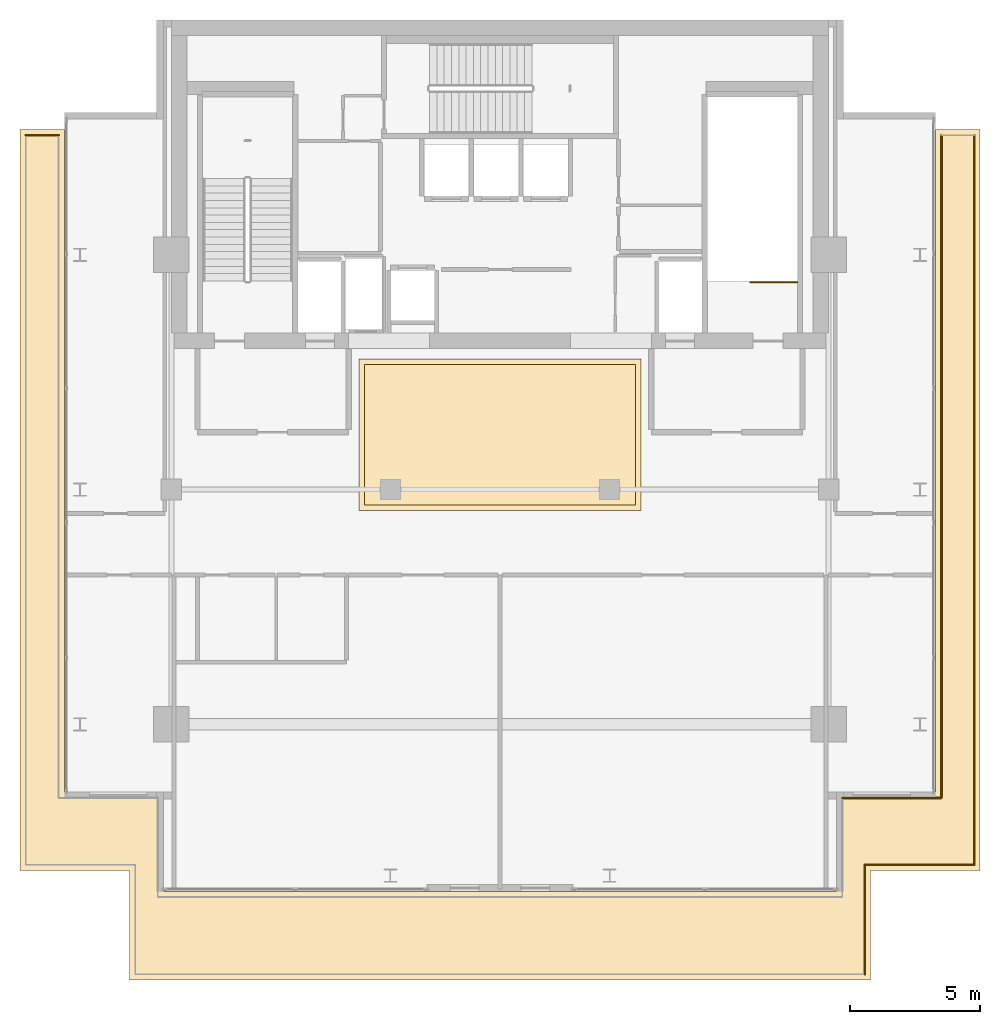
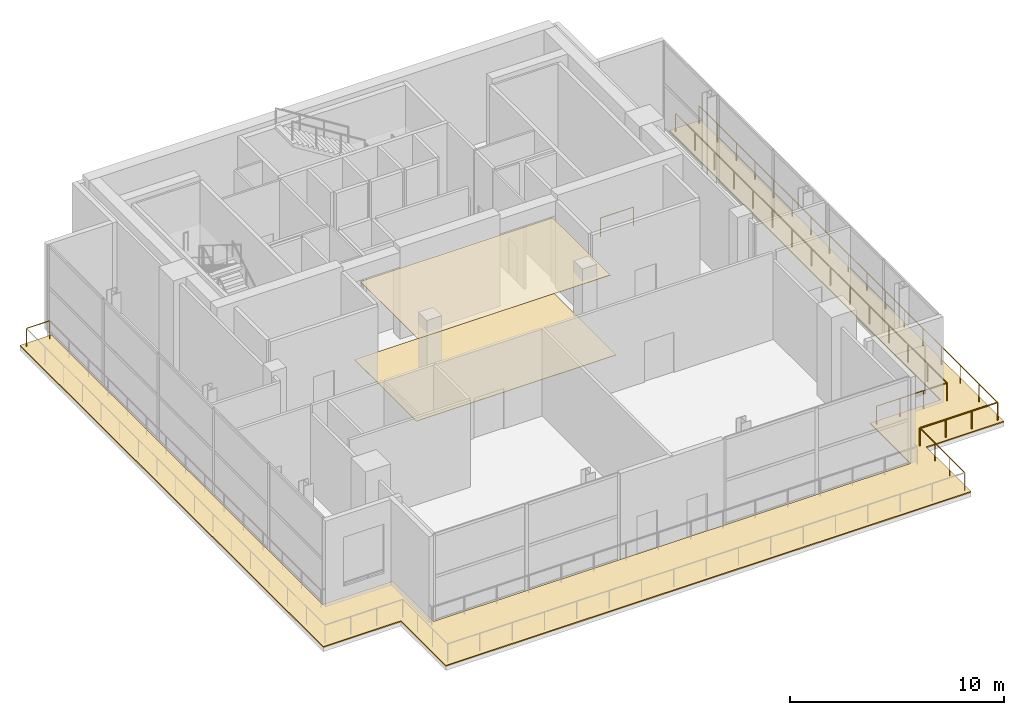
# One storey, part 18 of 19: 7 railings, 3 coverings.
"""IFC4 building model written with IfcOpenShell, lengths in metres."""

import ifcopenshell
import ifcopenshell.guid

model = None  # the IFC model being written
_history = None  # IfcOwnerHistory: only IFC2X3 demands one
_inside = {}  # id of a spatial element -> (the spatial element, [elements in it])
_under = {}  # id of a project, library or spatial element -> (it, [spatial elements below it])
_declared = {}  # id of a project -> (the project, [libraries it declares])
_typed = {}  # id of a type object -> (the type object, [elements of that type])
_made_of = {}  # id of a material, layer set ... -> (it, [elements and type objects made of it])


def new_model(schema):
    """Start an empty IFC model of exactly this schema.

    Asked for "IFC4X3", IfcOpenShell would pick the latest addendum, in which some entities
    have other attributes; the version numbers below select the first issue.
    IFC2X3 requires an IfcOwnerHistory on every rooted entity: one is made here for all.
    """
    global model, _history
    if schema == "IFC4X3":
        model = ifcopenshell.file(schema_version=(4, 3, 0, 0))
    else:
        model = ifcopenshell.file(schema=schema)
    _inside.clear()
    _under.clear()
    _declared.clear()
    _typed.clear()
    _made_of.clear()
    _history = None
    if model.schema == "IFC2X3":
        org = make("IfcOrganization", Name="unknown")
        user = make(
            "IfcPersonAndOrganization",
            ThePerson=make("IfcPerson", FamilyName="unknown"),
            TheOrganization=org,
        )
        app = make(
            "IfcApplication",
            ApplicationDeveloper=org,
            Version="unknown",
            ApplicationFullName="unknown",
            ApplicationIdentifier="unknown",
        )
        _history = make(
            "IfcOwnerHistory",
            OwningUser=user,
            OwningApplication=app,
            ChangeAction="ADDED",
            CreationDate=0,
        )
    return model


def make(cls, **values):
    """One entity of the class cls with the attributes given. An attribute that is None is left unset."""
    return model.create_entity(
        cls, **{name: value for name, value in values.items() if value is not None}
    )


def rooted(cls, **values):
    """An entity with a GlobalId (a new one), such as an element, a storey or a relation."""
    return make(cls, GlobalId=ifcopenshell.guid.new(), OwnerHistory=_history, **values)


def si_unit(unit_type, name, prefix=None):
    """IfcSIUnit, for example si_unit("LENGTHUNIT", "METRE", prefix="MILLI")."""
    return make("IfcSIUnit", UnitType=unit_type, Prefix=prefix, Name=name)


def assignment(units):
    """IfcUnitAssignment: the units of a project."""
    return None if units is None else make("IfcUnitAssignment", Units=units)


def point(xyz):
    """IfcCartesianPoint."""
    return None if xyz is None else make("IfcCartesianPoint", Coordinates=xyz)


def direction(xyz):
    """IfcDirection."""
    return None if xyz is None else make("IfcDirection", DirectionRatios=xyz)


def frame(location, z_axis=None, x_axis=None):
    """IfcAxis2Placement3D, a coordinate frame: its origin and axes. An axis left out is left unset."""
    return make(
        "IfcAxis2Placement3D",
        Location=point(location),
        Axis=direction(z_axis),
        RefDirection=direction(x_axis),
    )


def frame_2d(location, x_axis=None):
    """IfcAxis2Placement2D, a coordinate frame in the plane: its origin and x axis."""
    return make(
        "IfcAxis2Placement2D", Location=point(location), RefDirection=direction(x_axis)
    )


def origin():
    """The frame at (0, 0, 0) with its axes left unset."""
    return frame((0.0, 0.0, 0.0))


def origin_2d():
    """The frame at (0, 0) in the plane with its x axis left unset."""
    return frame_2d((0.0, 0.0))


def place(relative_to, where):
    """IfcLocalPlacement: puts the frame where relative to a parent placement (None: the world)."""
    return make(
        "IfcLocalPlacement", PlacementRelTo=relative_to, RelativePlacement=where
    )


def context(
    kind, dimensions, precision=None, world=None, true_north=None, identifier=None
):
    """IfcGeometricRepresentationContext, for example the 3D "Model" context."""
    return make(
        "IfcGeometricRepresentationContext",
        ContextIdentifier=identifier,
        ContextType=kind,
        CoordinateSpaceDimension=dimensions,
        Precision=precision,
        WorldCoordinateSystem=world,
        TrueNorth=true_north,
    )


def subcontext(parent, identifier, kind, view, scale=None):
    """IfcGeometricRepresentationSubContext, for example "Body" below "Model"."""
    return make(
        "IfcGeometricRepresentationSubContext",
        ContextIdentifier=identifier,
        ContextType=kind,
        ParentContext=parent,
        TargetScale=scale,
        TargetView=view,
    )


def project(units=None, contexts=None):
    """IfcProject with its units and contexts."""
    return rooted(
        "IfcProject",
        Name="project",
        RepresentationContexts=contexts,
        UnitsInContext=assignment(units),
    )


def spatial(cls, under=None, at=None, **own):
    """A site, building, storey or space (cls), placed at a placement, below another one or the project."""
    s = rooted(cls, ObjectPlacement=at, **own)
    if under is not None:
        _under.setdefault(under.id(), (under, []))[1].append(s)
    return s


def polyline(points):
    """IfcPolyline through the points."""
    return make("IfcPolyline", Points=[point(p) for p in points])


def profile(cls, at=None, kind="AREA", **sizes):
    """A parametric profile (cls). Its sizes go by their IFC names, for example OverallWidth=200.0."""
    return make(cls, ProfileType=kind, Position=at, **sizes)


def circle(**sizes):
    """IfcCircleProfileDef."""
    return profile("IfcCircleProfileDef", **sizes)


def outline(outer, holes=None, kind="AREA"):
    """IfcArbitraryClosedProfileDef: a profile drawn as a closed curve; with holes, ...WithVoids."""
    if holes is None:
        return make("IfcArbitraryClosedProfileDef", ProfileType=kind, OuterCurve=outer)
    return make(
        "IfcArbitraryProfileDefWithVoids",
        ProfileType=kind,
        OuterCurve=outer,
        InnerCurves=holes,
    )


def extrude(swept, where, along, depth):
    """IfcExtrudedAreaSolid: the profile swept, set in the frame where, extruded along a direction by depth."""
    return make(
        "IfcExtrudedAreaSolid",
        SweptArea=swept,
        Position=where,
        ExtrudedDirection=direction(along),
        Depth=depth,
    )


def shape(context_of_items, identifier, shape_type, items):
    """IfcShapeRepresentation: the items that make up one representation, for example the "Body"."""
    return make(
        "IfcShapeRepresentation",
        ContextOfItems=context_of_items,
        RepresentationIdentifier=identifier,
        RepresentationType=shape_type,
        Items=items,
    )


def material(Name=None, Category=None):
    """IfcMaterial."""
    return make("IfcMaterial", Name=Name, Category=Category)


def layer(
    of_material, thickness, ventilated=None, Name=None, Category=None, Priority=None
):
    """IfcMaterialLayer: one layer of a wall or slab, of a material (None: an air gap)."""
    return make(
        "IfcMaterialLayer",
        Material=of_material,
        LayerThickness=thickness,
        IsVentilated=ventilated,
        Name=Name,
        Category=Category,
        Priority=Priority,
    )


def layer_set(layers, Name=None):
    """IfcMaterialLayerSet."""
    return make("IfcMaterialLayerSet", MaterialLayers=layers, LayerSetName=Name)


def made_of(thing, what):
    """Note that an element or type object is made of a material, layer set ...; save() writes the relation."""
    if what is not None:
        _made_of.setdefault(what.id(), (what, []))[1].append(thing)
    return thing


def type_object(cls, material=None, **own):
    """A type object (cls), such as IfcWallType, which elements share."""
    return made_of(rooted(cls, **own), material)


def element(
    cls,
    number,
    at=None,
    inside=None,
    cuts=None,
    type_object=None,
    material=None,
    context=None,
    identifier="Body",
    shape_type=None,
    held_by="IfcProductDefinitionShape",
    body=None,
    shapes=None,
    **own,
):
    """One element of the class cls, such as IfcWall. Its Tag is "e" and its number.

    at: its placement. inside: the storey or other place that contains it. cuts: it is an
    opening in that element (IfcRelVoidsElement). A single representation is given by context,
    identifier, shape_type and body (its items); several are given by shapes. held_by: the class
    of the entity that holds the representations. save() writes the other relations.
    """
    e = rooted(cls, Tag="e%d" % number, ObjectPlacement=at, **own)
    if body is not None:
        shapes = [shape(context, identifier, shape_type, body)]
    if shapes is not None:
        e.Representation = make(held_by, Representations=shapes)
    if inside is not None:
        _inside.setdefault(inside.id(), (inside, []))[1].append(e)
    if cuts is not None:
        rooted(
            "IfcRelVoidsElement", RelatingBuildingElement=cuts, RelatedOpeningElement=e
        )
    if type_object is not None:
        _typed.setdefault(type_object.id(), (type_object, []))[1].append(e)
    return made_of(e, material)


def aggregate(whole, parts):
    """IfcRelAggregates: a whole, such as a stair, and the parts it consists of."""
    return rooted("IfcRelAggregates", RelatingObject=whole, RelatedObjects=parts)


def save(model, path):
    """Write the relations noted so far, then the file.

    IfcRelAggregates (storeys below a building ...), IfcRelContainedInSpatialStructure (elements
    in a storey), IfcRelDefinesByType, IfcRelAssociatesMaterial and IfcRelDeclares: one each for
    every whole, place, type object, material and project.
    """
    for whole, parts in _under.values():
        aggregate(whole, parts)
    for where, things in _inside.values():
        rooted(
            "IfcRelContainedInSpatialStructure",
            RelatedElements=things,
            RelatingStructure=where,
        )
    for kind, things in _typed.values():
        rooted("IfcRelDefinesByType", RelatedObjects=things, RelatingType=kind)
    for what, things in _made_of.values():
        rooted("IfcRelAssociatesMaterial", RelatedObjects=things, RelatingMaterial=what)
    for by, libraries in _declared.values():
        rooted("IfcRelDeclares", RelatingContext=by, RelatedDefinitions=libraries)
    model.write(path)


model = new_model("IFC4")

# Units and contexts
model_context = context("Model", 3, precision=1e-05, world=origin(), true_north=direction((0.0, 1.0)))
body_context = subcontext(model_context, "Body", "Model", "MODEL_VIEW")
ifc_project = project(units=[si_unit("LENGTHUNIT", "METRE"), si_unit("AREAUNIT", "SQUARE_METRE"), si_unit("VOLUMEUNIT", "CUBIC_METRE"), si_unit("PLANEANGLEUNIT", "RADIAN"), si_unit("MASSUNIT", "GRAM", prefix="KILO")], contexts=[model_context])

# Site, building, storey
site_placement = place(None, origin())
site = spatial("IfcSite", under=ifc_project, at=site_placement, CompositionType="ELEMENT")
building_placement = place(site_placement, origin())
building = spatial("IfcBuilding", under=site, at=building_placement, Name="Maruvema Waterfront Hotel and Observation Tower", CompositionType="ELEMENT")
storey_placement = place(building_placement, frame((0.0, 0.0, 359.10009765625)))
storey = spatial("IfcBuildingStorey", under=building, at=storey_placement, Name="L88", CompositionType="ELEMENT", Elevation=359.10009765625)

# Coverings
ifc_material_1 = material(Name="SBS modified bitumen waterproofing with granite ballast", Category="masonry")
ifc_layer_1 = layer(ifc_material_1, 0.090087890625, Name="Elastomeric Waterproof Roof Membrane and Granite Ballast 90 mm")
ifc_layer_set_1 = layer_set([ifc_layer_1], Name="SBS modified bitumen waterproofing with granite ballast")
covering_type_1 = type_object("IfcCoveringType", Name="Elastomeric Waterproof Roof Membrane and Granite Ballast 90 mm", PredefinedType="ROOFING", material=ifc_layer_set_1)
covering_1_placement = place(storey_placement, origin())
element("IfcCovering", 1, at=covering_1_placement, inside=storey, type_object=covering_type_1, Name="L88 Setback Terrace Waterproofing and Pavers 1", PredefinedType="ROOFING", context=body_context, shape_type="SweptSolid", body=[
    extrude(outline(polyline([(56.199951171875, 49.800048828125), (56.199951171875, 21.39990234375), (52.0, 21.39990234375), (52.0, 17.199951171875), (23.60009765625, 17.199951171875), (23.60009765625, 21.39990234375), (19.39990234375, 21.39990234375), (19.39990234375, 49.800048828125), (21.10009765625, 49.800048828125), (21.10009765625, 24.39990234375), (24.89990234375, 24.39990234375), (24.89990234375, 20.60009765625), (50.699951171875, 20.60009765625), (50.699951171875, 24.39990234375), (54.5, 24.39990234375), (54.5, 49.800048828125), (56.199951171875, 49.800048828125)])), origin(), (0.0, 0.0, 1.0), 0.059814453125),
])
ifc_material_2 = material(Name="Honed Pernambuco warm granite", Category="masonry")
ifc_layer_2 = layer(ifc_material_2, 0.030029296875, Name="Honed Pernambuco Granite Lobby Flooring 30 mm")
ifc_layer_set_2 = layer_set([ifc_layer_2], Name="Honed Pernambuco warm granite")
covering_type_2 = type_object("IfcCoveringType", Name="Honed Pernambuco Granite Lobby Flooring 30 mm", PredefinedType="FLOORING", material=ifc_layer_set_2)
covering_2_placement = place(storey_placement, origin())
element("IfcCovering", 2, at=covering_2_placement, inside=storey, type_object=covering_type_2, Name="L88 Sky Concourse Granite Flooring", PredefinedType="FLOORING", context=body_context, shape_type="SweptSolid", body=[
    extrude(outline(polyline([(32.39990234375, 35.199951171875), (43.199951171875, 35.199951171875), (43.199951171875, 41.0), (32.39990234375, 41.0), (32.39990234375, 35.199951171875)])), origin(), (0.0, 0.0, 1.0), 0.02978515625),
])
ifc_material_3 = material(Name="Perforated acoustic gypsum board", Category="gypsum")
ifc_layer_3 = layer(ifc_material_3, 0.02490234375, Name="Perforated Acoustic Gypsum Suspended Ceiling 25 mm")
ifc_layer_set_3 = layer_set([ifc_layer_3], Name="Perforated acoustic gypsum board")
covering_type_3 = type_object("IfcCoveringType", Name="Perforated Acoustic Gypsum Suspended Ceiling 25 mm", PredefinedType="CEILING", material=ifc_layer_set_3)
covering_3_placement = place(storey_placement, frame((0.0, 0.0, 4.52001953125)))
element("IfcCovering", 3, at=covering_3_placement, inside=storey, type_object=covering_type_3, Name="L88 Sky Concourse Acoustic Ceiling", PredefinedType="CEILING", context=body_context, shape_type="SweptSolid", body=[
    extrude(outline(polyline([(32.60009765625, 35.39990234375), (43.0, 35.39990234375), (43.0, 40.800048828125), (32.60009765625, 40.800048828125), (32.60009765625, 35.39990234375)])), origin(), (0.0, 0.0, 1.0), 0.02490234375),
])

# Railings
ifc_material_4 = material(Name="Brushed stainless steel Grade 316", Category="steel")
railing_type = type_object("IfcRailingType", Name="Ramp and Terrace Guard Balustrade 1100 mm", PredefinedType="BALUSTRADE", material=ifc_material_4)
railing_1_placement = place(storey_placement, frame((49.199951171875, 43.949951171875, 0.0)))
element("IfcRailing", 4, at=railing_1_placement, inside=storey, type_object=railing_type, Name="L88 ST-03 top well guard 1", PredefinedType="BALUSTRADE", context=body_context, shape_type="SweptSolid", body=[
    extrude(circle(Radius=0.02392578125, at=origin_2d()), frame((0.0, 0.0, 1.076171875), z_axis=(-1.0, 0.0, 0.0), x_axis=(0.0, -1.0, 0.0)), (0.0, 0.0, 1.0), 1.800048828125),
    extrude(circle(Radius=0.02099609375, at=origin_2d()), origin(), (0.0, 0.0, 1.0), 1.052001953125),
    extrude(circle(Radius=0.02099609375, at=origin_2d()), frame((-1.800048828125, 0.0, 0.0)), (0.0, 0.0, 1.0), 1.052001953125),
])
railing_2_placement = place(storey_placement, frame((55.97998046875, 49.580078125, 0.0)))
element("IfcRailing", 5, at=railing_2_placement, inside=storey, type_object=railing_type, Name="L88 Perimeter Safety Balustrade 1", PredefinedType="BALUSTRADE", context=body_context, shape_type="SweptSolid", body=[
    extrude(circle(Radius=0.02392578125, at=origin_2d()), frame((0.0, 0.0, 1.076171875), z_axis=(0.0, -1.0, 0.0), x_axis=(1.0, 0.0, 0.0)), (0.0, 0.0, 1.0), 27.9599609375),
    extrude(circle(Radius=0.02099609375, at=origin_2d()), origin(), (0.0, 0.0, 1.0), 1.052001953125),
    extrude(circle(Radius=0.02099609375, at=origin_2d()), frame((0.0, -1.74755859375, 0.0)), (0.0, 0.0, 1.0), 1.052001953125),
    extrude(circle(Radius=0.02099609375, at=origin_2d()), frame((0.0, -3.4951171875, 0.0)), (0.0, 0.0, 1.0), 1.052001953125),
    extrude(circle(Radius=0.02099609375, at=origin_2d()), frame((0.0, -5.242431640625, 0.0)), (0.0, 0.0, 1.0), 1.052001953125),
    extrude(circle(Radius=0.02099609375, at=origin_2d()), frame((0.0, -6.989990234375, 0.0)), (0.0, 0.0, 1.0), 1.052001953125),
    extrude(circle(Radius=0.02099609375, at=origin_2d()), frame((0.0, -8.737548828125, 0.0)), (0.0, 0.0, 1.0), 1.052001953125),
    extrude(circle(Radius=0.02099609375, at=origin_2d()), frame((0.0, -10.48486328125, 0.0)), (0.0, 0.0, 1.0), 1.052001953125),
    extrude(circle(Radius=0.02099609375, at=origin_2d()), frame((0.0, -12.232421875, 0.0)), (0.0, 0.0, 1.0), 1.052001953125),
    extrude(circle(Radius=0.02099609375, at=origin_2d()), frame((0.0, -13.97998046875, 0.0)), (0.0, 0.0, 1.0), 1.052001953125),
    extrude(circle(Radius=0.02099609375, at=origin_2d()), frame((0.0, -15.7275390625, 0.0)), (0.0, 0.0, 1.0), 1.052001953125),
    extrude(circle(Radius=0.02099609375, at=origin_2d()), frame((0.0, -17.47509765625, 0.0)), (0.0, 0.0, 1.0), 1.052001953125),
    extrude(circle(Radius=0.02099609375, at=origin_2d()), frame((0.0, -19.222412109375, 0.0)), (0.0, 0.0, 1.0), 1.052001953125),
    extrude(circle(Radius=0.02099609375, at=origin_2d()), frame((0.0, -20.969970703125, 0.0)), (0.0, 0.0, 1.0), 1.052001953125),
    extrude(circle(Radius=0.02099609375, at=origin_2d()), frame((0.0, -22.717529296875, 0.0)), (0.0, 0.0, 1.0), 1.052001953125),
    extrude(circle(Radius=0.02099609375, at=origin_2d()), frame((0.0, -24.46484375, 0.0)), (0.0, 0.0, 1.0), 1.052001953125),
    extrude(circle(Radius=0.02099609375, at=origin_2d()), frame((0.0, -26.21240234375, 0.0)), (0.0, 0.0, 1.0), 1.052001953125),
    extrude(circle(Radius=0.02099609375, at=origin_2d()), frame((0.0, -27.9599609375, 0.0)), (0.0, 0.0, 1.0), 1.052001953125),
])
railing_3_placement = place(storey_placement, frame((55.97998046875, 21.6201171875, 0.0)))
element("IfcRailing", 6, at=railing_3_placement, inside=storey, type_object=railing_type, Name="L88 Perimeter Safety Balustrade 2", PredefinedType="BALUSTRADE", context=body_context, shape_type="SweptSolid", body=[
    extrude(circle(Radius=0.02392578125, at=origin_2d()), frame((0.0, 0.0, 1.076171875), z_axis=(-1.0, 0.0, 0.0), x_axis=(0.0, -1.0, 0.0)), (0.0, 0.0, 1.0), 4.199951171875),
    extrude(circle(Radius=0.02099609375, at=origin_2d()), origin(), (0.0, 0.0, 1.0), 1.052001953125),
    extrude(circle(Radius=0.02099609375, at=origin_2d()), frame((-1.39990234375, 0.0, 0.0)), (0.0, 0.0, 1.0), 1.052001953125),
    extrude(circle(Radius=0.02099609375, at=origin_2d()), frame((-2.800048828125, 0.0, 0.0)), (0.0, 0.0, 1.0), 1.052001953125),
    extrude(circle(Radius=0.02099609375, at=origin_2d()), frame((-4.199951171875, 0.0, 0.0)), (0.0, 0.0, 1.0), 1.052001953125),
])
railing_4_placement = place(storey_placement, frame((51.780029296875, 21.6201171875, 0.0)))
element("IfcRailing", 7, at=railing_4_placement, inside=storey, type_object=railing_type, Name="L88 Perimeter Safety Balustrade 3", PredefinedType="BALUSTRADE", context=body_context, shape_type="SweptSolid", body=[
    extrude(circle(Radius=0.02392578125, at=origin_2d()), frame((0.0, 0.0, 1.076171875), z_axis=(0.0, -1.0, 0.0), x_axis=(1.0, 0.0, 0.0)), (0.0, 0.0, 1.0), 4.2001953125),
    extrude(circle(Radius=0.02099609375, at=origin_2d()), origin(), (0.0, 0.0, 1.0), 1.052001953125),
    extrude(circle(Radius=0.02099609375, at=origin_2d()), frame((0.0, -1.400146484375, 0.0)), (0.0, 0.0, 1.0), 1.052001953125),
    extrude(circle(Radius=0.02099609375, at=origin_2d()), frame((0.0, -2.800048828125, 0.0)), (0.0, 0.0, 1.0), 1.052001953125),
    extrude(circle(Radius=0.02099609375, at=origin_2d()), frame((0.0, -4.2001953125, 0.0)), (0.0, 0.0, 1.0), 1.052001953125),
])
railing_5_placement = place(storey_placement, frame((19.6201171875, 49.580078125, 0.0)))
element("IfcRailing", 8, at=railing_5_placement, inside=storey, type_object=railing_type, Name="L88 Perimeter Safety Balustrade 8", PredefinedType="BALUSTRADE", context=body_context, shape_type="SweptSolid", body=[
    extrude(circle(Radius=0.02392578125, at=origin_2d()), frame((0.0, 0.0, 1.076171875), z_axis=(1.0, 0.0, 0.0), x_axis=(0.0, 1.0, 0.0)), (0.0, 0.0, 1.0), 1.259765625),
    extrude(circle(Radius=0.02099609375, at=origin_2d()), origin(), (0.0, 0.0, 1.0), 1.052001953125),
    extrude(circle(Radius=0.02099609375, at=origin_2d()), frame((1.259765625, 0.0, 0.0)), (0.0, 0.0, 1.0), 1.052001953125),
])
railing_6_placement = place(storey_placement, frame((50.919921875, 24.179931640625, 0.0)))
element("IfcRailing", 9, at=railing_6_placement, inside=storey, type_object=railing_type, Name="L88 Perimeter Safety Balustrade 14", PredefinedType="BALUSTRADE", context=body_context, shape_type="SweptSolid", body=[
    extrude(circle(Radius=0.02392578125, at=origin_2d()), frame((0.0, 0.0, 1.076171875), z_axis=(1.0, 0.0, 0.0), x_axis=(0.0, 1.0, 0.0)), (0.0, 0.0, 1.0), 3.800048828125),
    extrude(circle(Radius=0.02099609375, at=origin_2d()), origin(), (0.0, 0.0, 1.0), 1.052001953125),
    extrude(circle(Radius=0.02099609375, at=origin_2d()), frame((1.2666015625, 0.0, 0.0)), (0.0, 0.0, 1.0), 1.052001953125),
    extrude(circle(Radius=0.02099609375, at=origin_2d()), frame((2.533447265625, 0.0, 0.0)), (0.0, 0.0, 1.0), 1.052001953125),
    extrude(circle(Radius=0.02099609375, at=origin_2d()), frame((3.800048828125, 0.0, 0.0)), (0.0, 0.0, 1.0), 1.052001953125),
])
railing_7_placement = place(storey_placement, frame((54.719970703125, 24.179931640625, 0.0)))
element("IfcRailing", 10, at=railing_7_placement, inside=storey, type_object=railing_type, Name="L88 Perimeter Safety Balustrade 15", PredefinedType="BALUSTRADE", context=body_context, shape_type="SweptSolid", body=[
    extrude(circle(Radius=0.02392578125, at=origin_2d()), frame((0.0, 0.0, 1.076171875), z_axis=(0.0, 1.0, 0.0), x_axis=(-1.0, 0.0, 0.0)), (0.0, 0.0, 1.0), 25.400146484375),
    extrude(circle(Radius=0.02099609375, at=origin_2d()), origin(), (0.0, 0.0, 1.0), 1.052001953125),
    extrude(circle(Radius=0.02099609375, at=origin_2d()), frame((0.0, 1.814208984375, 0.0)), (0.0, 0.0, 1.0), 1.052001953125),
    extrude(circle(Radius=0.02099609375, at=origin_2d()), frame((0.0, 3.628662109375, 0.0)), (0.0, 0.0, 1.0), 1.052001953125),
    extrude(circle(Radius=0.02099609375, at=origin_2d()), frame((0.0, 5.44287109375, 0.0)), (0.0, 0.0, 1.0), 1.052001953125),
    extrude(circle(Radius=0.02099609375, at=origin_2d()), frame((0.0, 7.257080078125, 0.0)), (0.0, 0.0, 1.0), 1.052001953125),
    extrude(circle(Radius=0.02099609375, at=origin_2d()), frame((0.0, 9.071533203125, 0.0)), (0.0, 0.0, 1.0), 1.052001953125),
    extrude(circle(Radius=0.02099609375, at=origin_2d()), frame((0.0, 10.8857421875, 0.0)), (0.0, 0.0, 1.0), 1.052001953125),
    extrude(circle(Radius=0.02099609375, at=origin_2d()), frame((0.0, 12.7001953125, 0.0)), (0.0, 0.0, 1.0), 1.052001953125),
    extrude(circle(Radius=0.02099609375, at=origin_2d()), frame((0.0, 14.514404296875, 0.0)), (0.0, 0.0, 1.0), 1.052001953125),
    extrude(circle(Radius=0.02099609375, at=origin_2d()), frame((0.0, 16.32861328125, 0.0)), (0.0, 0.0, 1.0), 1.052001953125),
    extrude(circle(Radius=0.02099609375, at=origin_2d()), frame((0.0, 18.14306640625, 0.0)), (0.0, 0.0, 1.0), 1.052001953125),
    extrude(circle(Radius=0.02099609375, at=origin_2d()), frame((0.0, 19.957275390625, 0.0)), (0.0, 0.0, 1.0), 1.052001953125),
    extrude(circle(Radius=0.02099609375, at=origin_2d()), frame((0.0, 21.771484375, 0.0)), (0.0, 0.0, 1.0), 1.052001953125),
    extrude(circle(Radius=0.02099609375, at=origin_2d()), frame((0.0, 23.5859375, 0.0)), (0.0, 0.0, 1.0), 1.052001953125),
    extrude(circle(Radius=0.02099609375, at=origin_2d()), frame((0.0, 25.400146484375, 0.0)), (0.0, 0.0, 1.0), 1.052001953125),
])

save(model, "model.ifc")
